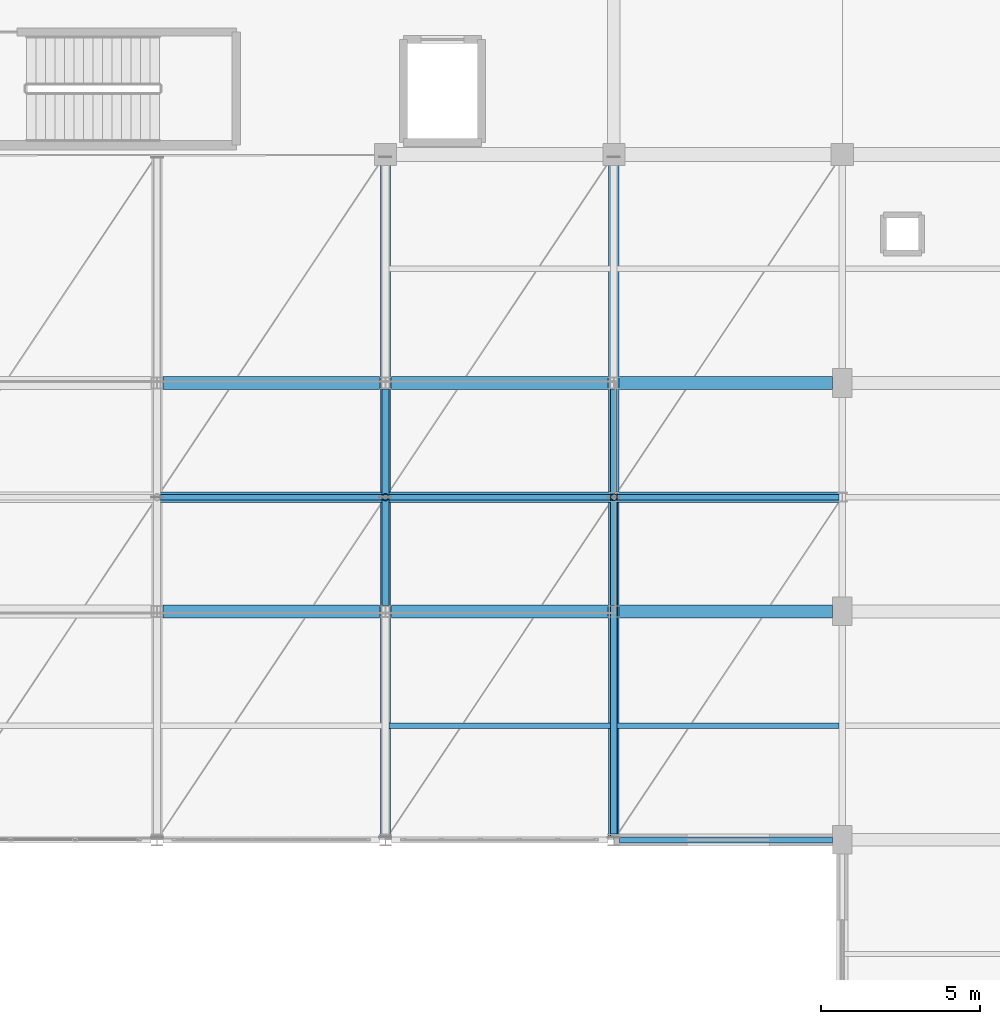
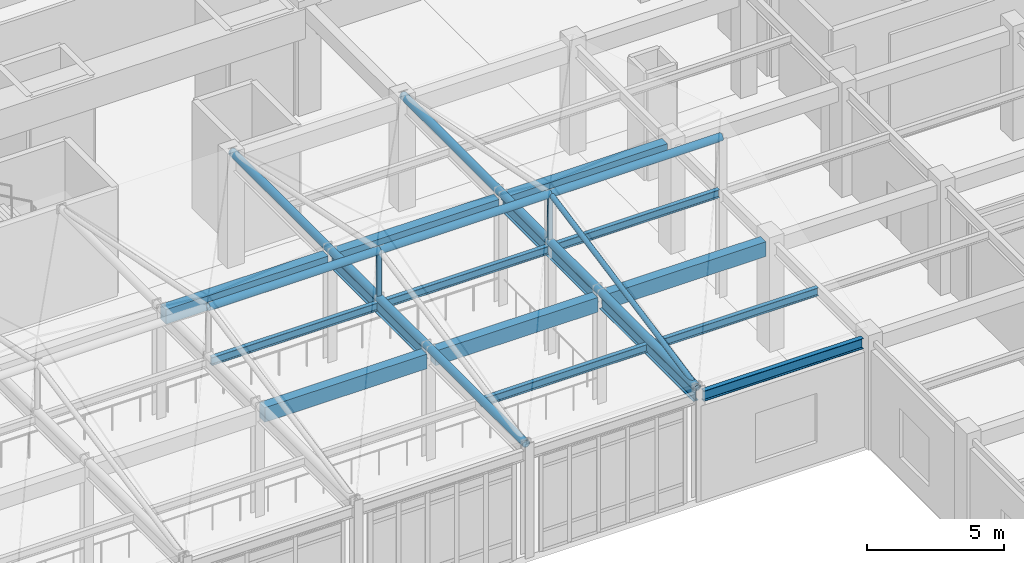
# One storey, part 44 of 117: 15 beams, 8 members.
"""IFC4 building model written with IfcOpenShell, lengths in metres."""

from ifc_helpers import new_model, si_unit, direction, frame, origin, origin_2d, place, context, subcontext, project, spatial, rectangle, hollow_circle, i_section, extrude, material, material_profile, profile_set, type_object, element, save


model = new_model("IFC4")

# Units and contexts
model_context = context("Model", 3, precision=1e-05, world=origin(), true_north=direction((0.0, 1.0)))
body_context = subcontext(model_context, "Body", "Model", "MODEL_VIEW")
ifc_project = project(units=[si_unit("LENGTHUNIT", "METRE"), si_unit("AREAUNIT", "SQUARE_METRE"), si_unit("VOLUMEUNIT", "CUBIC_METRE"), si_unit("PLANEANGLEUNIT", "RADIAN"), si_unit("MASSUNIT", "GRAM", prefix="KILO")], contexts=[model_context])

# Site, building, storey
site_placement = place(None, origin())
site = spatial("IfcSite", under=ifc_project, at=site_placement, CompositionType="ELEMENT")
building_placement = place(site_placement, origin())
building = spatial("IfcBuilding", under=site, at=building_placement, Name="Carrowvane Square Congress Hotel", CompositionType="ELEMENT")
storey_placement = place(building_placement, frame((0.0, 0.0, 5.39990234375)))
storey = spatial("IfcBuildingStorey", under=building, at=storey_placement, Name="L01", CompositionType="ELEMENT", Elevation=5.39990234375)

# Beams
ifc_material_1 = material(Name="Concrete C35/45", Category="concrete")
ifc_material_profile_1 = material_profile(ifc_material_1, rectangle(XDim=0.39990234375, YDim=0.64990234375, at=origin_2d()), Name="RC 400x650")
ifc_profile_set_1 = profile_set([ifc_material_profile_1], Name="Concrete C35/45")
beam_type_1 = type_object("IfcBeamType", Name="BM-RC-400x650", PredefinedType="BEAM", material=ifc_profile_set_1)
for number, where, z_axis, x_axis, name in (
    (1, (105.38525390625, 77.39990234375, 4.455078125), (1.0, 0.0, 0.0), (0.0, 1.0, 0.0), "L02 girder L/14-15"),
    (2, (112.585205078125, 77.39990234375, 4.455078125), (1.0, 0.0, 0.0), (0.0, 1.0, 0.0), "L02 girder L/15-16"),
):
    element("IfcBeam", number, at=place(storey_placement, frame(where, z_axis=z_axis, x_axis=x_axis)), inside=storey, type_object=beam_type_1, Name=name, PredefinedType="BEAM", context=body_context, shape_type="SweptSolid", body=[
        extrude(rectangle(XDim=0.39990234375, YDim=0.64990234375, at=origin_2d()), origin(), (0.0, 0.0, 1.0), 6.82958984375),
    ])
beam_1_placement = place(storey_placement, frame((119.78515625, 77.39990234375, 4.455078125), z_axis=(1.0, 0.0, 0.0), x_axis=(0.0, 1.0, 0.0)))
element("IfcBeam", 3, at=beam_1_placement, inside=storey, type_object=beam_type_1, Name="L02 girder L/16-17", PredefinedType="BEAM", context=body_context, shape_type="SweptSolid", body=[
    extrude(rectangle(XDim=0.39990234375, YDim=0.64990234375, at=origin_2d()), origin(), (0.0, 0.0, 1.0), 6.71484375),
])
for number, where, z_axis, x_axis, name in (
    (4, (105.38525390625, 84.60009765625, 4.455078125), (1.0, 0.0, 0.0), (0.0, 1.0, 0.0), "L02 girder M/14-15"),
    (5, (112.585205078125, 84.60009765625, 4.455078125), (1.0, 0.0, 0.0), (0.0, 1.0, 0.0), "L02 girder M/15-16"),
):
    element("IfcBeam", number, at=place(storey_placement, frame(where, z_axis=z_axis, x_axis=x_axis)), inside=storey, type_object=beam_type_1, Name=name, PredefinedType="BEAM", context=body_context, shape_type="SweptSolid", body=[
        extrude(rectangle(XDim=0.39990234375, YDim=0.64990234375, at=origin_2d()), origin(), (0.0, 0.0, 1.0), 6.82958984375),
    ])
beam_2_placement = place(storey_placement, frame((119.78515625, 84.60009765625, 4.455078125), z_axis=(1.0, 0.0, 0.0), x_axis=(0.0, 1.0, 0.0)))
element("IfcBeam", 6, at=beam_2_placement, inside=storey, type_object=beam_type_1, Name="L02 girder M/16-17", PredefinedType="BEAM", context=body_context, shape_type="SweptSolid", body=[
    extrude(rectangle(XDim=0.39990234375, YDim=0.64990234375, at=origin_2d()), origin(), (0.0, 0.0, 1.0), 6.71484375),
])
ifc_material_2 = material(Name="Steel S355", Category="steel")
ifc_material_profile_2 = material_profile(ifc_material_2, i_section(OverallWidth=0.172119140625, OverallDepth=0.35791015625, WebThickness=0.008056640625, FlangeThickness=0.012939453125, FilletRadius=0.01025390625, at=origin_2d()), Name="UKB 356x171x57")
ifc_profile_set_2 = profile_set([ifc_material_profile_2], Name="Steel S355")
beam_type_2 = type_object("IfcBeamType", Name="BM-ST-UKB356", PredefinedType="JOIST", material=ifc_profile_set_2)
beam_3_placement = place(storey_placement, frame((105.304931640625, 81.0, 4.60107421875), z_axis=(1.0, 0.0, 0.0), x_axis=(0.0, 1.0, 0.0)))
element("IfcBeam", 7, at=beam_3_placement, inside=storey, type_object=beam_type_2, Name="L02 secondary joist 14-15", PredefinedType="JOIST", context=body_context, shape_type="SweptSolid", body=[
    extrude(i_section(OverallWidth=0.172119140625, OverallDepth=0.35791015625, WebThickness=0.008056640625, FlangeThickness=0.012939453125, FilletRadius=0.01025390625, at=origin_2d()), origin(), (0.0, 0.0, 1.0), 6.989990234375),
])
for number, where, z_axis, x_axis, name in (
    (8, (112.5048828125, 73.800048828125, 4.60107421875), (1.0, 0.0, 0.0), (0.0, 1.0, 0.0), "L02 secondary joist 15-16"),
    (9, (112.5048828125, 81.0, 4.60107421875), (1.0, 0.0, 0.0), (0.0, 1.0, 0.0), "L02 secondary joist 15-16"),
):
    element("IfcBeam", number, at=place(storey_placement, frame(where, z_axis=z_axis, x_axis=x_axis)), inside=storey, type_object=beam_type_2, Name=name, PredefinedType="JOIST", context=body_context, shape_type="SweptSolid", body=[
        extrude(i_section(OverallWidth=0.172119140625, OverallDepth=0.35791015625, WebThickness=0.008056640625, FlangeThickness=0.012939453125, FilletRadius=0.01025390625, at=origin_2d()), origin(), (0.0, 0.0, 1.0), 6.990234375),
    ])
for number, where, z_axis, x_axis, name in (
    (10, (119.705078125, 73.800048828125, 4.60107421875), (1.0, 0.0, 0.0), (0.0, 1.0, 0.0), "L02 secondary joist 16-17"),
    (11, (119.705078125, 81.0, 4.60107421875), (1.0, 0.0, 0.0), (0.0, 1.0, 0.0), "L02 secondary joist 16-17"),
):
    element("IfcBeam", number, at=place(storey_placement, frame(where, z_axis=z_axis, x_axis=x_axis)), inside=storey, type_object=beam_type_2, Name=name, PredefinedType="JOIST", context=body_context, shape_type="SweptSolid", body=[
        extrude(i_section(OverallWidth=0.172119140625, OverallDepth=0.35791015625, WebThickness=0.008056640625, FlangeThickness=0.012939453125, FilletRadius=0.01025390625, at=origin_2d()), origin(), (0.0, 0.0, 1.0), 6.989990234375),
    ])
ifc_material_3 = material(Name="Steel S355", Category="steel")
ifc_material_profile_3 = material_profile(ifc_material_3, i_section(OverallWidth=0.19140625, OverallDepth=0.4599609375, WebThickness=0.010009765625, FlangeThickness=0.01611328125, FilletRadius=0.01025390625, at=origin_2d()), Name="UKB 457x191x82")
ifc_profile_set_3 = profile_set([ifc_material_profile_3], Name="Steel S355")
beam_type_3 = type_object("IfcBeamType", Name="BM-ST-UKB457", PredefinedType="SPANDREL", material=ifc_profile_set_3)
beam_4_placement = place(storey_placement, frame((119.78515625, 70.199951171875, 4.550048828125), z_axis=(1.0, 0.0, 0.0), x_axis=(0.0, 1.0, 0.0)))
element("IfcBeam", 12, at=beam_4_placement, inside=storey, type_object=beam_type_3, Name="L02 girder K/16-17", PredefinedType="SPANDREL", context=body_context, shape_type="SweptSolid", body=[
    extrude(i_section(OverallWidth=0.19140625, OverallDepth=0.4599609375, WebThickness=0.010009765625, FlangeThickness=0.01611328125, FilletRadius=0.01025390625, at=origin_2d()), origin(), (0.0, 0.0, 1.0), 6.71484375),
])
ifc_material_4 = material(Name="Steel S355", Category="steel")
ifc_material_profile_4 = material_profile(ifc_material_4, i_section(OverallWidth=0.2099609375, OverallDepth=0.53662109375, WebThickness=0.0107421875, FlangeThickness=0.017333984375, FilletRadius=0.0126953125, at=origin_2d()), Name="UKB 533x210x101")
ifc_profile_set_4 = profile_set([ifc_material_profile_4], Name="Steel S355")
beam_type_4 = type_object("IfcBeamType", Name="BM-ST-UKB533", PredefinedType="USERDEFINED", material=ifc_profile_set_4)
for number, where, z_axis, x_axis, name in (
    (13, (112.39990234375, 77.5810546875, 4.51171875), (0.0, 1.0, 0.0), (-1.0, 0.0, 0.0), "L02 girder 15/L-M"),
    (14, (119.60009765625, 70.381103515625, 4.51171875), (0.0, 1.0, 0.0), (-1.0, 0.0, 0.0), "L02 girder 16/K-L"),
    (15, (119.60009765625, 77.5810546875, 4.51171875), (0.0, 1.0, 0.0), (-1.0, 0.0, 0.0), "L02 girder 16/L-M"),
):
    element("IfcBeam", number, at=place(storey_placement, frame(where, z_axis=z_axis, x_axis=x_axis)), inside=storey, type_object=beam_type_4, Name=name, ObjectType="GIRDER", PredefinedType="USERDEFINED", context=body_context, shape_type="SweptSolid", body=[
        extrude(i_section(OverallWidth=0.2099609375, OverallDepth=0.53662109375, WebThickness=0.0107421875, FlangeThickness=0.017333984375, FilletRadius=0.0126953125, at=origin_2d()), origin(), (0.0, 0.0, 1.0), 6.837890625),
    ])

# Members
ifc_material_5 = material(Name="Steel S355", Category="steel")
ifc_material_profile_5 = material_profile(ifc_material_5, hollow_circle(Radius=0.109619140625, WallThickness=0.012451171875, at=origin_2d()), Name="CHS 219.1x12.5")
ifc_profile_set_5 = profile_set([ifc_material_profile_5], Name="Steel S355")
member_type_1 = type_object("IfcMemberType", Name="MEM-ST-CHS219", PredefinedType="STRUT", material=ifc_profile_set_5)
for number, where, z_axis, x_axis, name in (
    (16, (112.39990234375, 81.0, 4.920166015625), (0.0, 0.0, 1.0), (1.0, 0.0, 0.0), "Public passage canopy king post 6"),
    (17, (119.60009765625, 81.0, 4.920166015625), (0.0, 0.0, 1.0), (1.0, 0.0, 0.0), "Public passage canopy king post 7"),
):
    element("IfcMember", number, at=place(storey_placement, frame(where, z_axis=z_axis, x_axis=x_axis)), inside=storey, type_object=member_type_1, Name=name, PredefinedType="STRUT", context=body_context, shape_type="SweptSolid", body=[
        extrude(hollow_circle(Radius=0.109619140625, WallThickness=0.012451171875, at=origin_2d()), origin(), (0.0, 0.0, 1.0), 2.12548828125),
    ])
member_1_placement = place(storey_placement, frame((119.60009765625, 70.280029296875, 4.920166015625), z_axis=(0.0, 0.980904965039, 0.19448765915), x_axis=(-1.0, 0.0, 0.0)))
element("IfcMember", 18, at=member_1_placement, inside=storey, type_object=member_type_1, Name="Public passage canopy strut S-7", PredefinedType="STRUT", context=body_context, shape_type="SweptSolid", body=[
    extrude(hollow_circle(Radius=0.109619140625, WallThickness=0.012451171875, at=origin_2d()), origin(), (0.0, 0.0, 1.0), 10.9287109375),
])
ifc_material_6 = material(Name="Steel S355", Category="steel")
ifc_material_profile_6 = material_profile(ifc_material_6, hollow_circle(Radius=0.161865234375, WallThickness=0.01611328125, at=origin_2d()), Name="CHS 323.9x16")
ifc_profile_set_6 = profile_set([ifc_material_profile_6], Name="Steel S355")
member_type_2 = type_object("IfcMemberType", Name="MEM-TC-CHS324", PredefinedType="CHORD", material=ifc_profile_set_6)
member_2_placement = place(storey_placement, frame((105.199951171875, 81.0, 7.045654296875), z_axis=(1.0, 0.0, 0.0), x_axis=(0.0, 1.0, 0.0)))
element("IfcMember", 19, at=member_2_placement, inside=storey, type_object=member_type_2, Name="Public passage ridge chord 6", PredefinedType="CHORD", context=body_context, shape_type="SweptSolid", body=[
    extrude(hollow_circle(Radius=0.161865234375, WallThickness=0.01611328125, at=origin_2d()), origin(), (0.0, 0.0, 1.0), 7.199951171875),
])
member_3_placement = place(storey_placement, frame((112.39990234375, 81.0, 7.045654296875), z_axis=(1.0, 0.0, 0.0), x_axis=(0.0, 1.0, 0.0)))
element("IfcMember", 20, at=member_3_placement, inside=storey, type_object=member_type_2, Name="Public passage ridge chord 7", PredefinedType="CHORD", context=body_context, shape_type="SweptSolid", body=[
    extrude(hollow_circle(Radius=0.161865234375, WallThickness=0.01611328125, at=origin_2d()), origin(), (0.0, 0.0, 1.0), 7.2001953125),
])
member_4_placement = place(storey_placement, frame((119.60009765625, 81.0, 7.045654296875), z_axis=(1.0, 0.0, 0.0), x_axis=(0.0, 1.0, 0.0)))
element("IfcMember", 21, at=member_4_placement, inside=storey, type_object=member_type_2, Name="Public passage ridge chord 8", PredefinedType="CHORD", context=body_context, shape_type="SweptSolid", body=[
    extrude(hollow_circle(Radius=0.161865234375, WallThickness=0.01611328125, at=origin_2d()), origin(), (0.0, 0.0, 1.0), 7.199951171875),
])
for number, where, z_axis, x_axis, name in (
    (22, (112.39990234375, 70.280029296875, 4.920166015625), (0.0, 1.0, 0.0), (-1.0, 0.0, 0.0), "Public passage canopy tie chord 6"),
    (23, (119.60009765625, 70.280029296875, 4.920166015625), (0.0, 1.0, 0.0), (-1.0, 0.0, 0.0), "Public passage canopy tie chord 7"),
):
    element("IfcMember", number, at=place(storey_placement, frame(where, z_axis=z_axis, x_axis=x_axis)), inside=storey, type_object=member_type_2, Name=name, PredefinedType="CHORD", context=body_context, shape_type="SweptSolid", body=[
        extrude(hollow_circle(Radius=0.161865234375, WallThickness=0.01611328125, at=origin_2d()), origin(), (0.0, 0.0, 1.0), 21.43994140625),
    ])

save(model, "model.ifc")
